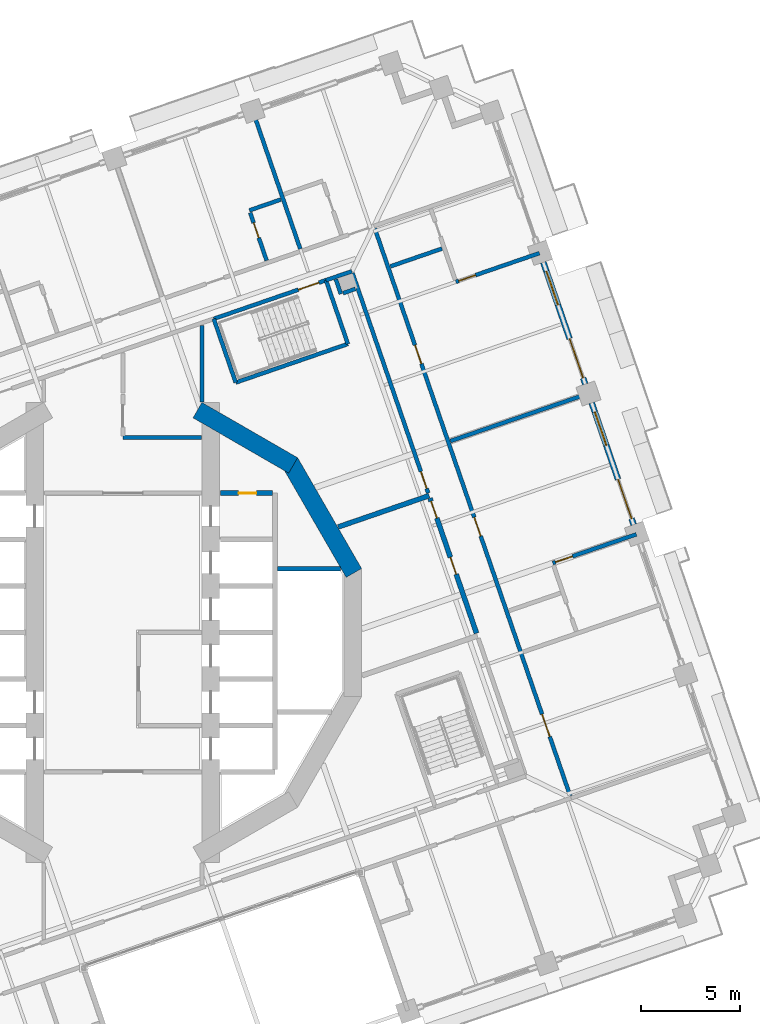
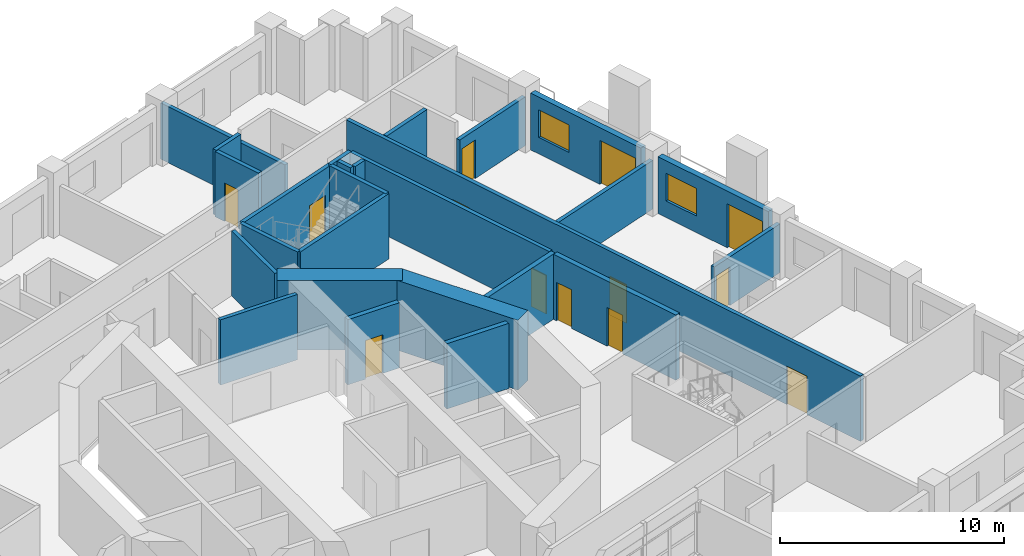
# One storey, part 13 of 22: 26 walls, 13 doors, 2 windows, 15 openings.
"""IFC4 building model written with IfcOpenShell, lengths in metres."""

from ifc_helpers import new_model, si_unit, direction, frame, frame_2d, origin, place, context, subcontext, project, spatial, rectangle, extrude, material, layer, layer_set, type_object, element, fill, save


model = new_model("IFC4")

# Units and contexts
model_context = context("Model", 3, precision=1e-05, world=origin(), true_north=direction((0.0, 1.0)))
body_context = subcontext(model_context, "Body", "Model", "MODEL_VIEW")
ifc_project = project(units=[si_unit("LENGTHUNIT", "METRE"), si_unit("AREAUNIT", "SQUARE_METRE"), si_unit("VOLUMEUNIT", "CUBIC_METRE"), si_unit("PLANEANGLEUNIT", "RADIAN"), si_unit("MASSUNIT", "GRAM", prefix="KILO")], contexts=[model_context])

# Site, building, storey
site_placement = place(None, origin())
site = spatial("IfcSite", under=ifc_project, at=site_placement, CompositionType="ELEMENT")
building_placement = place(site_placement, origin())
building = spatial("IfcBuilding", under=site, at=building_placement, Name="Cantera Rosa Tower", CompositionType="ELEMENT")
storey_placement = place(building_placement, frame((0.0, 0.0, 107.89990234375)))
storey = spatial("IfcBuildingStorey", under=building, at=storey_placement, Name="L21", CompositionType="ELEMENT", Elevation=107.89990234375)

# Walls
ifc_material_1 = material(Name="Gypsum board partition")
ifc_layer_1 = layer(ifc_material_1, 0.199951171875)
ifc_layer_set_1 = layer_set([ifc_layer_1], Name="CORRIDOR WALL 200 H3550")
wall_type_1 = type_object("IfcWallType", Name="CORRIDOR WALL 200 H3550", PredefinedType="PARTITIONING", material=ifc_layer_set_1)
wall_1_placement = place(storey_placement, frame((0.0, 9.85009765625, 0.0), z_axis=(0.0, 0.0, 1.0), x_axis=(1.0, 0.0, 0.0)))
element("IfcWall", 1, at=wall_1_placement, inside=storey, type_object=wall_type_1, Name="CORRIDOR WALL L21-056", PredefinedType="PARTITIONING", context=body_context, shape_type="SweptSolid", body=[
    extrude(rectangle(XDim=3.969970703125, YDim=0.199951171875, at=frame_2d((1.98486328125, 0.0))), origin(), (0.0, 0.0, 1.0), 3.550048828125),
])
wall_2_placement = place(storey_placement, frame((11.583984375, 18.2666015625, 0.0), z_axis=(0.0, 0.0, 1.0), x_axis=(-0.945503834334, -0.325610963052, 0.0)))
element("IfcWall", 2, at=wall_2_placement, inside=storey, type_object=wall_type_1, Name="CORRIDOR WALL L21-088", PredefinedType="PARTITIONING", context=body_context, shape_type="SweptSolid", body=[
    extrude(rectangle(XDim=1.38720703125, YDim=0.199951171875, at=frame_2d((0.693603515625, 0.0))), origin(), (0.0, 0.0, 1.0), 3.550048828125),
])

# Wall, opening, door
wall_3_placement = place(storey_placement, frame((15.4453125, 7.052734375, 0.0), z_axis=(0.0, 0.0, 1.0), x_axis=(-0.325560709279, 0.945521139147, 0.0)))
wall_3 = element("IfcWall", 3, at=wall_3_placement, inside=storey, type_object=wall_type_1, Name="CORRIDOR WALL L21-097", PredefinedType="PARTITIONING", context=body_context, shape_type="SweptSolid", body=[
    extrude(rectangle(XDim=11.760009765625, YDim=0.199951171875, at=frame_2d((5.8798828125, 0.0))), origin(), (0.0, 0.0, 1.0), 3.550048828125),
])
opening_1_placement = place(wall_3_placement, frame((0.242431640625, 0.0, 0.0)))
opening_1 = element("IfcOpeningElement", 4, at=opening_1_placement, cuts=wall_3, Name="Opening L21-004", PredefinedType="OPENING", context=body_context, shape_type="SweptSolid", body=[
    extrude(rectangle(XDim=0.89990234375, YDim=2.10009765625, at=frame_2d((0.449951171875, 1.050048828125))), frame((0.0, 0.10986328125, 0.0), z_axis=(0.0, -1.0, 0.0), x_axis=(1.0, 0.0, 0.0)), (0.0, 0.0, 1.0), 0.219970703125),
])
ifc_material_2 = material(Name="Timber door leaf", Category="wood")
door_type_1 = type_object("IfcDoorType", Name="SERVICE DOOR 900x2100", OperationType="NOTDEFINED", PredefinedType="DOOR", material=ifc_material_2)
door_1_placement = place(opening_1_placement, origin())
door_1 = element("IfcDoor", 5, at=door_1_placement, inside=storey, type_object=door_type_1, Name="DOOR L21-004", OperationType="NOTDEFINED", OverallHeight=2.10009765625, OverallWidth=0.89990234375, PredefinedType="DOOR", context=body_context, shape_type="SweptSolid", body=[
    extrude(rectangle(XDim=0.89990234375, YDim=2.10009765625, at=frame_2d((0.449951171875, 1.050048828125))), frame((0.0, 0.02490234375, 0.0), z_axis=(0.0, -1.0, 0.0), x_axis=(1.0, 0.0, 0.0)), (0.0, 0.0, 1.0), 0.050048828125),
])
fill(opening_1, door_1)

# Wall, openings, doors
wall_4_placement = place(storey_placement, frame((22.623291015625, -8.264892578125, 0.0), z_axis=(0.0, 0.0, 1.0), x_axis=(-0.325567861352, 0.945518676524, 0.0)))
wall_4 = element("IfcWall", 6, at=wall_4_placement, inside=storey, type_object=wall_type_1, Name="CORRIDOR WALL L21-113", PredefinedType="PARTITIONING", context=body_context, shape_type="SweptSolid", body=[
    extrude(rectangle(XDim=30.360107421875, YDim=0.199951171875, at=frame_2d((15.18017578125, 0.0))), origin(), (0.0, 0.0, 1.0), 3.550048828125),
])
opening_2_placement = place(wall_4_placement, frame((3.169921875, 0.0, 0.0)))
opening_2 = element("IfcOpeningElement", 7, at=opening_2_placement, cuts=wall_4, Name="Opening L21-017", PredefinedType="OPENING", context=body_context, shape_type="SweptSolid", body=[
    extrude(rectangle(XDim=1.199951171875, YDim=2.10009765625, at=frame_2d((0.60009765625, 1.050048828125))), frame((0.0, 0.10986328125, 0.0), z_axis=(0.0, -1.0, 0.0), x_axis=(1.0, 0.0, 0.0)), (0.0, 0.0, 1.0), 0.219970703125),
])
opening_3_placement = place(wall_4_placement, frame((13.89990234375, 0.0, 0.0)))
opening_3 = element("IfcOpeningElement", 8, at=opening_3_placement, cuts=wall_4, Name="Opening L21-018", PredefinedType="OPENING", context=body_context, shape_type="SweptSolid", body=[
    extrude(rectangle(XDim=1.0, YDim=2.10009765625, at=frame_2d((0.5, 1.050048828125))), frame((0.0, 0.10986328125, 0.0), z_axis=(0.0, -1.0, 0.0), x_axis=(1.0, 0.0, 0.0)), (0.0, 0.0, 1.0), 0.219970703125),
])
opening_4_placement = place(wall_4_placement, frame((23.110107421875, 0.0, 0.0)))
opening_4 = element("IfcOpeningElement", 9, at=opening_4_placement, cuts=wall_4, Name="Opening L21-021", PredefinedType="OPENING", context=body_context, shape_type="SweptSolid", body=[
    extrude(rectangle(XDim=1.0, YDim=2.10009765625, at=frame_2d((0.5, 1.050048828125))), frame((0.0, 0.10986328125, 0.0), z_axis=(0.0, -1.0, 0.0), x_axis=(1.0, 0.0, 0.0)), (0.0, 0.0, 1.0), 0.219970703125),
])
ifc_material_3 = material(Name="Timber door leaf", Category="wood")
door_type_2 = type_object("IfcDoorType", Name="ENTRANCE DOOR 1000x2100", OperationType="NOTDEFINED", PredefinedType="DOOR", material=ifc_material_3)
door_2_placement = place(opening_3_placement, origin())
door_2 = element("IfcDoor", 10, at=door_2_placement, inside=storey, type_object=door_type_2, Name="DOOR L21-018", OperationType="NOTDEFINED", OverallHeight=2.10009765625, OverallWidth=1.0, PredefinedType="DOOR", context=body_context, shape_type="SweptSolid", body=[
    extrude(rectangle(XDim=1.0, YDim=2.10009765625, at=frame_2d((0.5, 1.050048828125))), frame((0.0, 0.02490234375, 0.0), z_axis=(0.0, -1.0, 0.0), x_axis=(1.0, 0.0, 0.0)), (0.0, 0.0, 1.0), 0.050048828125),
])
fill(opening_3, door_2)
door_3_placement = place(opening_4_placement, origin())
door_3 = element("IfcDoor", 11, at=door_3_placement, inside=storey, type_object=door_type_2, Name="DOOR L21-021", OperationType="NOTDEFINED", OverallHeight=2.10009765625, OverallWidth=1.0, PredefinedType="DOOR", context=body_context, shape_type="SweptSolid", body=[
    extrude(rectangle(XDim=1.0, YDim=2.10009765625, at=frame_2d((0.5, 1.050048828125))), frame((0.0, 0.02490234375, 0.0), z_axis=(0.0, -1.0, 0.0), x_axis=(1.0, 0.0, 0.0)), (0.0, 0.0, 1.0), 0.050048828125),
])
fill(opening_4, door_3)
ifc_material_4 = material(Name="Timber door leaf", Category="wood")
door_type_3 = type_object("IfcDoorType", Name="ROOM DOOR 1200x2100", OperationType="NOTDEFINED", PredefinedType="DOOR", material=ifc_material_4)
door_4_placement = place(opening_2_placement, origin())
door_4 = element("IfcDoor", 12, at=door_4_placement, inside=storey, type_object=door_type_3, Name="DOOR L21-017", OperationType="NOTDEFINED", OverallHeight=2.10009765625, OverallWidth=1.199951171875, PredefinedType="DOOR", context=body_context, shape_type="SweptSolid", body=[
    extrude(rectangle(XDim=1.199951171875, YDim=2.10009765625, at=frame_2d((0.60009765625, 1.050048828125))), frame((0.0, 0.02490234375, 0.0), z_axis=(0.0, -1.0, 0.0), x_axis=(1.0, 0.0, 0.0)), (0.0, 0.0, 1.0), 0.050048828125),
])
fill(opening_2, door_4)

# Wall, openings, window, door
ifc_material_5 = material(Name="Hollow clay masonry with cantera stone cladding", Category="masonry")
ifc_layer_2 = layer(ifc_material_5, 0.300048828125)
ifc_layer_set_2 = layer_set([ifc_layer_2], Name="EW-LOGGIA 300 H3090")
wall_type_2 = type_object("IfcWallType", Name="EW-LOGGIA 300 H3090", PredefinedType="SOLIDWALL", material=ifc_layer_set_2)
wall_5_placement = place(storey_placement, frame((25.833984375, 5.447509765625, 0.0), z_axis=(0.0, 0.0, 1.0), x_axis=(-0.325580990241, 0.945514155787, 0.0)))
wall_5 = element("IfcWall", 13, at=wall_5_placement, inside=storey, type_object=wall_type_2, Name="EN-L21-W03", PredefinedType="SOLIDWALL", context=body_context, shape_type="SweptSolid", body=[
    extrude(rectangle(XDim=6.52001953125, YDim=0.300048828125, at=frame_2d((3.260009765625, 0.0))), origin(), (0.0, 0.0, 1.0), 3.090087890625),
])
opening_5_placement = place(wall_5_placement, frame((0.330078125, 0.0, 0.0)))
opening_5 = element("IfcOpeningElement", 14, at=opening_5_placement, cuts=wall_5, Name="Opening L21-TD05", PredefinedType="OPENING", context=body_context, shape_type="SweptSolid", body=[
    extrude(rectangle(XDim=2.10009765625, YDim=2.39990234375, at=frame_2d((1.050048828125, 1.199951171875))), frame((0.0, 0.159912109375, 0.0), z_axis=(0.0, -1.0, 0.0), x_axis=(1.0, 0.0, 0.0)), (0.0, 0.0, 1.0), 0.320068359375),
])
opening_6_placement = place(wall_5_placement, frame((4.239990234375, 0.0, 0.89990234375)))
opening_6 = element("IfcOpeningElement", 15, at=opening_6_placement, cuts=wall_5, Name="Opening L21-W06", PredefinedType="OPENING", context=body_context, shape_type="SweptSolid", body=[
    extrude(rectangle(XDim=1.800048828125, YDim=1.5, at=frame_2d((0.89990234375, 0.75))), frame((0.0, 0.159912109375, 0.0), z_axis=(0.0, -1.0, 0.0), x_axis=(1.0, 0.0, 0.0)), (0.0, 0.0, 1.0), 0.320068359375),
])
ifc_material_6 = material(Name="Aluminium frame with clear glass", Category="aluminium")
window_type = type_object("IfcWindowType", Name="Hotel room window 1800x1500", PartitioningType="DOUBLE_PANEL_VERTICAL", PredefinedType="WINDOW", material=ifc_material_6)
window_1_placement = place(opening_6_placement, origin())
window_1 = element("IfcWindow", 16, at=window_1_placement, inside=storey, type_object=window_type, Name="WINDOW L21-W06", OverallHeight=1.5, OverallWidth=1.800048828125, PartitioningType="SINGLE_PANEL", PredefinedType="WINDOW", context=body_context, shape_type="SweptSolid", body=[
    extrude(rectangle(XDim=1.800048828125, YDim=1.5, at=frame_2d((0.89990234375, 0.75))), frame((0.0, 0.030029296875, 0.0), z_axis=(0.0, -1.0, 0.0), x_axis=(1.0, 0.0, 0.0)), (0.0, 0.0, 1.0), 0.06005859375),
])
fill(opening_6, window_1)
ifc_material_7 = material(Name="Aluminium frame with clear glass", Category="aluminium")
door_type_4 = type_object("IfcDoorType", Name="TD-H 2100x2400", OperationType="NOTDEFINED", PredefinedType="DOOR", material=ifc_material_7)
door_5_placement = place(opening_5_placement, origin())
door_5 = element("IfcDoor", 17, at=door_5_placement, inside=storey, type_object=door_type_4, Name="LOGGIA DOOR L21-TD05", OperationType="SLIDING_TO_LEFT", OverallHeight=2.39990234375, OverallWidth=2.10009765625, PredefinedType="DOOR", context=body_context, shape_type="SweptSolid", body=[
    extrude(rectangle(XDim=2.10009765625, YDim=2.39990234375, at=frame_2d((1.050048828125, 1.199951171875))), frame((0.0, 0.02490234375, 0.0), z_axis=(0.0, -1.0, 0.0), x_axis=(1.0, 0.0, 0.0)), (0.0, 0.0, 1.0), 0.050048828125),
])
fill(opening_5, door_5)

wall_6_placement = place(storey_placement, frame((23.3857421875, 12.557861328125, 0.0), z_axis=(0.0, 0.0, 1.0), x_axis=(-0.325580990241, 0.945514155787, 0.0)))
wall_6 = element("IfcWall", 18, at=wall_6_placement, inside=storey, type_object=wall_type_2, Name="EN-L21-W04", PredefinedType="SOLIDWALL", context=body_context, shape_type="SweptSolid", body=[
    extrude(rectangle(XDim=6.52001953125, YDim=0.300048828125, at=frame_2d((3.260009765625, 0.0))), origin(), (0.0, 0.0, 1.0), 3.090087890625),
])
opening_7_placement = place(wall_6_placement, frame((0.330078125, 0.0, 0.0)))
opening_7 = element("IfcOpeningElement", 19, at=opening_7_placement, cuts=wall_6, Name="Opening L21-TD07", PredefinedType="OPENING", context=body_context, shape_type="SweptSolid", body=[
    extrude(rectangle(XDim=2.10009765625, YDim=2.39990234375, at=frame_2d((1.050048828125, 1.199951171875))), frame((0.0, 0.159912109375, 0.0), z_axis=(0.0, -1.0, 0.0), x_axis=(1.0, 0.0, 0.0)), (0.0, 0.0, 1.0), 0.320068359375),
])
opening_8_placement = place(wall_6_placement, frame((4.239990234375, 0.0, 0.89990234375)))
opening_8 = element("IfcOpeningElement", 20, at=opening_8_placement, cuts=wall_6, Name="Opening L21-W08", PredefinedType="OPENING", context=body_context, shape_type="SweptSolid", body=[
    extrude(rectangle(XDim=1.800048828125, YDim=1.5, at=frame_2d((0.89990234375, 0.75))), frame((0.0, 0.159912109375, 0.0), z_axis=(0.0, -1.0, 0.0), x_axis=(1.0, 0.0, 0.0)), (0.0, 0.0, 1.0), 0.320068359375),
])
window_2_placement = place(opening_8_placement, origin())
window_2 = element("IfcWindow", 21, at=window_2_placement, inside=storey, type_object=window_type, Name="WINDOW L21-W08", OverallHeight=1.5, OverallWidth=1.800048828125, PartitioningType="SINGLE_PANEL", PredefinedType="WINDOW", context=body_context, shape_type="SweptSolid", body=[
    extrude(rectangle(XDim=1.800048828125, YDim=1.5, at=frame_2d((0.89990234375, 0.75))), frame((0.0, 0.030029296875, 0.0), z_axis=(0.0, -1.0, 0.0), x_axis=(1.0, 0.0, 0.0)), (0.0, 0.0, 1.0), 0.06005859375),
])
fill(opening_8, window_2)
door_6_placement = place(opening_7_placement, origin())
door_6 = element("IfcDoor", 22, at=door_6_placement, inside=storey, type_object=door_type_4, Name="LOGGIA DOOR L21-TD07", OperationType="SLIDING_TO_LEFT", OverallHeight=2.39990234375, OverallWidth=2.10009765625, PredefinedType="DOOR", context=body_context, shape_type="SweptSolid", body=[
    extrude(rectangle(XDim=2.10009765625, YDim=2.39990234375, at=frame_2d((1.050048828125, 1.199951171875))), frame((0.0, 0.02490234375, 0.0), z_axis=(0.0, -1.0, 0.0), x_axis=(1.0, 0.0, 0.0)), (0.0, 0.0, 1.0), 0.050048828125),
])
fill(opening_7, door_6)

# Wall, opening, door
ifc_material_8 = material(Name="Gypsum board partition")
ifc_layer_3 = layer(ifc_material_8, 0.199951171875)
ifc_layer_set_3 = layer_set([ifc_layer_3], Name="PARTITION 200 H2650")
wall_type_3 = type_object("IfcWallType", Name="PARTITION 200 H2650", PredefinedType="PARTITIONING", material=ifc_layer_set_3)
wall_7_placement = place(storey_placement, frame((21.07177734375, 19.185546875, 0.0), z_axis=(0.0, 0.0, 1.0), x_axis=(-0.945518569568, -0.325568171973, 0.0)))
wall_7 = element("IfcWall", 23, at=wall_7_placement, inside=storey, type_object=wall_type_3, Name="PARTITION L21-111", PredefinedType="PARTITIONING", context=body_context, shape_type="SweptSolid", body=[
    extrude(rectangle(XDim=4.47021484375, YDim=0.199951171875, at=frame_2d((2.235107421875, 0.0))), origin(), (0.0, 0.0, 1.0), 2.650146484375),
])
opening_9_placement = place(wall_7_placement, frame((3.419921875, 0.0, 0.0)))
opening_9 = element("IfcOpeningElement", 24, at=opening_9_placement, cuts=wall_7, Name="Opening L21-022", PredefinedType="OPENING", context=body_context, shape_type="SweptSolid", body=[
    extrude(rectangle(XDim=0.89990234375, YDim=2.10009765625, at=frame_2d((0.449951171875, 1.050048828125))), frame((0.0, 0.10986328125, 0.0), z_axis=(0.0, -1.0, 0.0), x_axis=(1.0, 0.0, 0.0)), (0.0, 0.0, 1.0), 0.219970703125),
])
ifc_material_9 = material(Name="Timber door leaf", Category="wood")
door_type_5 = type_object("IfcDoorType", Name="ROOM DOOR 900x2100", OperationType="NOTDEFINED", PredefinedType="DOOR", material=ifc_material_9)
door_7_placement = place(opening_9_placement, origin())
door_7 = element("IfcDoor", 25, at=door_7_placement, inside=storey, type_object=door_type_5, Name="DOOR L21-022", OperationType="NOTDEFINED", OverallHeight=2.10009765625, OverallWidth=0.89990234375, PredefinedType="DOOR", context=body_context, shape_type="SweptSolid", body=[
    extrude(rectangle(XDim=0.89990234375, YDim=2.10009765625, at=frame_2d((0.449951171875, 1.050048828125))), frame((0.0, 0.02490234375, 0.0), z_axis=(0.0, -1.0, 0.0), x_axis=(1.0, 0.0, 0.0)), (0.0, 0.0, 1.0), 0.050048828125),
])
fill(opening_9, door_7)

wall_8_placement = place(storey_placement, frame((21.741943359375, 3.509765625, 0.0), z_axis=(0.0, 0.0, 1.0), x_axis=(0.945518569568, 0.325568171973, 0.0)))
wall_8 = element("IfcWall", 26, at=wall_8_placement, inside=storey, type_object=wall_type_3, Name="PARTITION L21-112", PredefinedType="PARTITIONING", context=body_context, shape_type="SweptSolid", body=[
    extrude(rectangle(XDim=4.47021484375, YDim=0.199951171875, at=frame_2d((2.235107421875, 0.0))), origin(), (0.0, 0.0, 1.0), 2.650146484375),
])
opening_10_placement = place(wall_8_placement, frame((0.14990234375, 0.0, 0.0)))
opening_10 = element("IfcOpeningElement", 27, at=opening_10_placement, cuts=wall_8, Name="Opening L21-019", PredefinedType="OPENING", context=body_context, shape_type="SweptSolid", body=[
    extrude(rectangle(XDim=0.89990234375, YDim=2.10009765625, at=frame_2d((0.449951171875, 1.050048828125))), frame((0.0, 0.10986328125, 0.0), z_axis=(0.0, -1.0, 0.0), x_axis=(1.0, 0.0, 0.0)), (0.0, 0.0, 1.0), 0.219970703125),
])
door_8_placement = place(opening_10_placement, origin())
door_8 = element("IfcDoor", 28, at=door_8_placement, inside=storey, type_object=door_type_5, Name="DOOR L21-019", OperationType="NOTDEFINED", OverallHeight=2.10009765625, OverallWidth=0.89990234375, PredefinedType="DOOR", context=body_context, shape_type="SweptSolid", body=[
    extrude(rectangle(XDim=0.89990234375, YDim=2.10009765625, at=frame_2d((0.449951171875, 1.050048828125))), frame((0.0, 0.02490234375, 0.0), z_axis=(0.0, -1.0, 0.0), x_axis=(1.0, 0.0, 0.0)), (0.0, 0.0, 1.0), 0.050048828125),
])
fill(opening_10, door_8)

# Walls
ifc_material_10 = material(Name="Gypsum board partition")
ifc_layer_4 = layer(ifc_material_10, 0.199951171875)
ifc_layer_set_4 = layer_set([ifc_layer_4], Name="PARTITION 200 H3550")
wall_type_4 = type_object("IfcWallType", Name="PARTITION 200 H3550", PredefinedType="PARTITIONING", material=ifc_layer_set_4)
wall_9_placement = place(storey_placement, frame((4.0, 11.667236328125, 0.0), z_axis=(0.0, 0.0, 1.0), x_axis=(0.0, 1.0, 0.0)))
element("IfcWall", 29, at=wall_9_placement, inside=storey, type_object=wall_type_4, Name="PARTITION L21-065", PredefinedType="PARTITIONING", context=body_context, shape_type="SweptSolid", body=[
    extrude(rectangle(XDim=3.847900390625, YDim=0.199951171875, at=frame_2d((1.923828125, 0.0))), origin(), (0.0, 0.0, 1.0), 3.550048828125),
])
wall_10_placement = place(storey_placement, frame((6.39892578125, 21.34619140625, 0.0), z_axis=(0.0, 0.0, 1.0), x_axis=(0.945482578037, 0.3256726802, 0.0)))
element("IfcWall", 30, at=wall_10_placement, inside=storey, type_object=wall_type_4, Name="PARTITION L21-073", PredefinedType="PARTITIONING", context=body_context, shape_type="SweptSolid", body=[
    extrude(rectangle(XDim=1.679931640625, YDim=0.199951171875, at=frame_2d((0.83984375, 0.0))), origin(), (0.0, 0.0, 1.0), 3.550048828125),
])

# Wall, opening, door
wall_11_placement = place(storey_placement, frame((7.271484375, 18.812255859375, 0.0), z_axis=(0.0, 0.0, 1.0), x_axis=(-0.325567448058, 0.945518818832, 0.0)))
wall_11 = element("IfcWall", 31, at=wall_11_placement, inside=storey, type_object=wall_type_4, Name="PARTITION L21-075", PredefinedType="PARTITIONING", context=body_context, shape_type="SweptSolid", body=[
    extrude(rectangle(XDim=2.56005859375, YDim=0.199951171875, at=frame_2d((1.280029296875, 0.0))), origin(), (0.0, 0.0, 1.0), 3.550048828125),
])
opening_11_placement = place(wall_11_placement, frame((1.216064453125, 0.0, 0.0)))
opening_11 = element("IfcOpeningElement", 32, at=opening_11_placement, cuts=wall_11, Name="Opening L21-025", PredefinedType="OPENING", context=body_context, shape_type="SweptSolid", body=[
    extrude(rectangle(XDim=0.800048828125, YDim=2.10009765625, at=frame_2d((0.39990234375, 1.050048828125))), frame((0.0, 0.10986328125, 0.0), z_axis=(0.0, -1.0, 0.0), x_axis=(1.0, 0.0, 0.0)), (0.0, 0.0, 1.0), 0.219970703125),
])
ifc_material_11 = material(Name="Timber door leaf", Category="wood")
door_type_6 = type_object("IfcDoorType", Name="BATHROOM DOOR 800x2100", OperationType="NOTDEFINED", PredefinedType="DOOR", material=ifc_material_11)
door_9_placement = place(opening_11_placement, origin())
door_9 = element("IfcDoor", 33, at=door_9_placement, inside=storey, type_object=door_type_6, Name="DOOR L21-025", OperationType="NOTDEFINED", OverallHeight=2.10009765625, OverallWidth=0.800048828125, PredefinedType="DOOR", context=body_context, shape_type="SweptSolid", body=[
    extrude(rectangle(XDim=0.800048828125, YDim=2.10009765625, at=frame_2d((0.39990234375, 1.050048828125))), frame((0.0, 0.02490234375, 0.0), z_axis=(0.0, -1.0, 0.0), x_axis=(1.0, 0.0, 0.0)), (0.0, 0.0, 1.0), 0.050048828125),
])
fill(opening_11, door_9)

# Walls
wall_12_placement = place(storey_placement, frame((10.772216796875, 17.860107421875, 0.0), z_axis=(0.0, 0.0, 1.0), x_axis=(0.325508352099, -0.945539165087, 0.0)))
element("IfcWall", 34, at=wall_12_placement, inside=storey, type_object=wall_type_4, Name="PARTITION L21-085", PredefinedType="PARTITIONING", context=body_context, shape_type="SweptSolid", body=[
    extrude(rectangle(XDim=0.780029296875, YDim=0.199951171875, at=frame_2d((0.39013671875, 0.0))), origin(), (0.0, 0.0, 1.0), 3.550048828125),
])
wall_13_placement = place(storey_placement, frame((11.1396484375, 17.16162109375, 0.0), z_axis=(0.0, 0.0, 1.0), x_axis=(0.945416211277, 0.32586529035, 0.0)))
element("IfcWall", 35, at=wall_13_placement, inside=storey, type_object=wall_type_4, Name="PARTITION L21-086", PredefinedType="PARTITIONING", context=body_context, shape_type="SweptSolid", body=[
    extrude(rectangle(XDim=0.66015625, YDim=0.199951171875, at=frame_2d((0.330078125, 0.0))), origin(), (0.0, 0.0, 1.0), 3.550048828125),
])
wall_14_placement = place(storey_placement, frame((16.139404296875, 19.412109375, 0.0), z_axis=(0.0, 0.0, 1.0), x_axis=(-0.945505446379, -0.325606281984, 0.0)))
element("IfcWall", 36, at=wall_14_placement, inside=storey, type_object=wall_type_4, Name="PARTITION L21-099", PredefinedType="PARTITIONING", context=body_context, shape_type="SweptSolid", body=[
    extrude(rectangle(XDim=2.760009765625, YDim=0.199951171875, at=frame_2d((1.3798828125, 0.0))), origin(), (0.0, 0.0, 1.0), 3.550048828125),
])
ifc_material_12 = material(Name="Gypsum board partition")
ifc_layer_5 = layer(ifc_material_12, 0.199951171875)
ifc_layer_set_5 = layer_set([ifc_layer_5], Name="PARTY WALL 200 H2650")
wall_type_5 = type_object("IfcWallType", Name="PARTY WALL 200 H2650", PredefinedType="PARTITIONING", material=ifc_layer_set_5)
wall_15_placement = place(storey_placement, frame((16.570556640625, 9.682373046875, 0.0), z_axis=(0.0, 0.0, 1.0), x_axis=(0.945521494984, 0.325559675824, 0.0)))
element("IfcWall", 37, at=wall_15_placement, inside=storey, type_object=wall_type_5, Name="PARTY WALL L21-100", PredefinedType="PARTITIONING", context=body_context, shape_type="SweptSolid", body=[
    extrude(rectangle(XDim=7.349853515625, YDim=0.199951171875, at=frame_2d((3.6748046875, 0.0))), origin(), (0.0, 0.0, 1.0), 2.650146484375),
])
ifc_material_13 = material(Name="Gypsum board partition")
ifc_layer_6 = layer(ifc_material_13, 0.199951171875)
ifc_layer_set_6 = layer_set([ifc_layer_6], Name="PARTY WALL 200 H3050")
wall_type_6 = type_object("IfcWallType", Name="PARTY WALL 200 H3050", PredefinedType="PARTITIONING", material=ifc_layer_set_6)
wall_16_placement = place(storey_placement, frame((6.58056640625, 26.347900390625, 0.0), z_axis=(0.0, 0.0, 1.0), x_axis=(0.325549451152, -0.945525015457, 0.0)))
element("IfcWall", 38, at=wall_16_placement, inside=storey, type_object=wall_type_6, Name="PARTY WALL L21-074", PredefinedType="PARTITIONING", context=body_context, shape_type="SweptSolid", body=[
    extrude(rectangle(XDim=7.35009765625, YDim=0.199951171875, at=frame_2d((3.675048828125, 0.0))), origin(), (0.0, 0.0, 1.0), 3.050048828125),
])
ifc_material_14 = material(Name="Concrete C70/85", Category="concrete")
ifc_layer_7 = layer(ifc_material_14, 0.89990234375)
ifc_layer_set_7 = layer_set([ifc_layer_7], Name="RC CORE WALL 900 C70/85")
wall_type_7 = type_object("IfcWallType", Name="RC CORE WALL 900 C70/85", PredefinedType="SHEAR", material=ifc_layer_set_7)
wall_17_placement = place(storey_placement, frame((3.77490234375, 11.242919921875, 0.0), z_axis=(0.0, 0.0, 1.0), x_axis=(0.866026961591, -0.49999730179, 0.0)))
element("IfcWall", 39, at=wall_17_placement, inside=storey, type_object=wall_type_7, Name="CW-E1 L21", PredefinedType="SHEAR", context=body_context, shape_type="SweptSolid", body=[
    extrude(rectangle(XDim=5.58740234375, YDim=0.89990234375, at=frame_2d((2.793701171875, 0.0))), origin(), (0.0, 0.0, 1.0), 3.800048828125),
])
wall_18_placement = place(storey_placement, frame((8.44921875, 8.61376953125, 0.0), z_axis=(0.0, 0.0, 1.0), x_axis=(0.499990282633, -0.866031014036, 0.0)))
element("IfcWall", 40, at=wall_18_placement, inside=storey, type_object=wall_type_7, Name="CW-E2 L21", PredefinedType="SHEAR", context=body_context, shape_type="SweptSolid", body=[
    extrude(rectangle(XDim=6.470458984375, YDim=0.89990234375, at=frame_2d((3.2353515625, 0.0))), origin(), (0.0, 0.0, 1.0), 3.800048828125),
])
ifc_material_15 = material(Name="Masonry blockwork", Category="masonry")
ifc_layer_8 = layer(ifc_material_15, 0.25)
ifc_layer_set_8 = layer_set([ifc_layer_8], Name="SHAFT WALL 250 H3550")
wall_type_8 = type_object("IfcWallType", Name="SHAFT WALL 250 H3550", PredefinedType="SOLIDWALL", material=ifc_layer_set_8)
wall_19_placement = place(storey_placement, frame((7.824951171875, 3.2236328125, 0.0), z_axis=(0.0, 0.0, 1.0), x_axis=(1.0, 0.0, 0.0)))
element("IfcWall", 41, at=wall_19_placement, inside=storey, type_object=wall_type_8, Name="SHAFT WALL L21-080", PredefinedType="SOLIDWALL", context=body_context, shape_type="SweptSolid", body=[
    extrude(rectangle(XDim=3.181884765625, YDim=0.25, at=frame_2d((1.5908203125, 0.0))), origin(), (0.0, 0.0, 1.0), 3.550048828125),
])

# Wall, opening, door
wall_20_placement = place(storey_placement, frame((7.580078125, 7.050048828125, 0.0), z_axis=(0.0, 0.0, 1.0), x_axis=(-1.0, 0.0, 0.0)))
wall_20 = element("IfcWall", 42, at=wall_20_placement, inside=storey, type_object=wall_type_8, Name="SHAFT WALL L21-082", PredefinedType="SOLIDWALL", context=body_context, shape_type="SweptSolid", body=[
    extrude(rectangle(XDim=2.650146484375, YDim=0.25, at=frame_2d((1.3251953125, 0.0))), origin(), (0.0, 0.0, 1.0), 3.550048828125),
])
opening_12_placement = place(wall_20_placement, frame((0.830078125, 0.0, 0.0)))
opening_12 = element("IfcOpeningElement", 43, at=opening_12_placement, cuts=wall_20, Name="Opening L21-050", PredefinedType="OPENING", context=body_context, shape_type="SweptSolid", body=[
    extrude(rectangle(XDim=0.89990234375, YDim=2.10009765625, at=frame_2d((0.449951171875, 1.050048828125))), frame((0.0, 0.135009765625, 0.0), z_axis=(0.0, -1.0, 0.0), x_axis=(1.0, 0.0, 0.0)), (0.0, 0.0, 1.0), 0.27001953125),
])
door_10_placement = place(opening_12_placement, origin())
door_10 = element("IfcDoor", 44, at=door_10_placement, inside=storey, type_object=door_type_1, Name="RISER DOOR L21-050", OperationType="NOTDEFINED", OverallHeight=2.10009765625, OverallWidth=0.89990234375, PredefinedType="DOOR", context=body_context, shape_type="SweptSolid", body=[
    extrude(rectangle(XDim=0.89990234375, YDim=2.10009765625, at=frame_2d((0.449951171875, 1.050048828125))), frame((0.0, 0.02490234375, 0.0), z_axis=(0.0, -1.0, 0.0), x_axis=(1.0, 0.0, 0.0)), (0.0, 0.0, 1.0), 0.050048828125),
])
fill(opening_12, door_10)

# Wall
wall_21_placement = place(storey_placement, frame((15.490966796875, 6.92041015625, 0.0), z_axis=(0.0, 0.0, 1.0), x_axis=(-0.945523393756, -0.325554161177, 0.0)))
element("IfcWall", 45, at=wall_21_placement, inside=storey, type_object=wall_type_8, Name="SHAFT WALL L21-096", PredefinedType="SOLIDWALL", context=body_context, shape_type="SweptSolid", body=[
    extrude(rectangle(XDim=4.861083984375, YDim=0.25, at=frame_2d((2.4306640625, 0.0))), origin(), (0.0, 0.0, 1.0), 3.550048828125),
])

# Wall, openings, doors
wall_22_placement = place(storey_placement, frame((17.88720703125, -0.03857421875, 0.0), z_axis=(0.0, 0.0, 1.0), x_axis=(-0.325565472339, 0.945519499122, 0.0)))
wall_22 = element("IfcWall", 46, at=wall_22_placement, inside=storey, type_object=wall_type_8, Name="SHAFT WALL L21-104", PredefinedType="SOLIDWALL", context=body_context, shape_type="SweptSolid", body=[
    extrude(rectangle(XDim=7.219970703125, YDim=0.25, at=frame_2d((3.60986328125, 0.0))), origin(), (0.0, 0.0, 1.0), 3.550048828125),
])
opening_13_placement = place(wall_22_placement, frame((6.159912109375, 0.0, 0.0)))
opening_13 = element("IfcOpeningElement", 47, at=opening_13_placement, cuts=wall_22, Name="Opening L21-009", PredefinedType="OPENING", context=body_context, shape_type="SweptSolid", body=[
    extrude(rectangle(XDim=0.89990234375, YDim=2.10009765625, at=frame_2d((0.449951171875, 1.050048828125))), frame((0.0, 0.135009765625, 0.0), z_axis=(0.0, -1.0, 0.0), x_axis=(1.0, 0.0, 0.0)), (0.0, 0.0, 1.0), 0.27001953125),
])
opening_14_placement = place(wall_22_placement, frame((3.159912109375, 0.0, 0.0)))
opening_14 = element("IfcOpeningElement", 48, at=opening_14_placement, cuts=wall_22, Name="Opening L21-049", PredefinedType="OPENING", context=body_context, shape_type="SweptSolid", body=[
    extrude(rectangle(XDim=0.89990234375, YDim=2.10009765625, at=frame_2d((0.449951171875, 1.050048828125))), frame((0.0, 0.135009765625, 0.0), z_axis=(0.0, -1.0, 0.0), x_axis=(1.0, 0.0, 0.0)), (0.0, 0.0, 1.0), 0.27001953125),
])
door_11_placement = place(opening_13_placement, origin())
door_11 = element("IfcDoor", 49, at=door_11_placement, inside=storey, type_object=door_type_1, Name="RISER DOOR L21-009", OperationType="NOTDEFINED", OverallHeight=2.10009765625, OverallWidth=0.89990234375, PredefinedType="DOOR", context=body_context, shape_type="SweptSolid", body=[
    extrude(rectangle(XDim=0.89990234375, YDim=2.10009765625, at=frame_2d((0.449951171875, 1.050048828125))), frame((0.0, 0.02490234375, 0.0), z_axis=(0.0, -1.0, 0.0), x_axis=(1.0, 0.0, 0.0)), (0.0, 0.0, 1.0), 0.050048828125),
])
fill(opening_13, door_11)
door_12_placement = place(opening_14_placement, origin())
door_12 = element("IfcDoor", 50, at=door_12_placement, inside=storey, type_object=door_type_1, Name="RISER DOOR L21-049", OperationType="NOTDEFINED", OverallHeight=2.10009765625, OverallWidth=0.89990234375, PredefinedType="DOOR", context=body_context, shape_type="SweptSolid", body=[
    extrude(rectangle(XDim=0.89990234375, YDim=2.10009765625, at=frame_2d((0.449951171875, 1.050048828125))), frame((0.0, 0.02490234375, 0.0), z_axis=(0.0, -1.0, 0.0), x_axis=(1.0, 0.0, 0.0)), (0.0, 0.0, 1.0), 0.050048828125),
])
fill(opening_14, door_12)

# Wall
ifc_material_16 = material(Name="Concrete C50/60", Category="concrete")
ifc_layer_9 = layer(ifc_material_16, 0.199951171875)
ifc_layer_set_9 = layer_set([ifc_layer_9], Name="STAIR WALL 200 H3550")
wall_type_9 = type_object("IfcWallType", Name="STAIR WALL 200 H3550", PredefinedType="SOLIDWALL", material=ifc_layer_set_9)
wall_23_placement = place(storey_placement, frame((4.599365234375, 15.861572265625, 0.0), z_axis=(0.0, 0.0, 1.0), x_axis=(0.325562292844, -0.945520593894, 0.0)))
element("IfcWall", 51, at=wall_23_placement, inside=storey, type_object=wall_type_9, Name="STAIR WALL L21-067", PredefinedType="SOLIDWALL", context=body_context, shape_type="SweptSolid", body=[
    extrude(rectangle(XDim=3.407470703125, YDim=0.199951171875, at=frame_2d((1.70361328125, 0.0))), origin(), (0.0, 0.0, 1.0), 3.550048828125),
])

# Wall, opening, door
wall_24_placement = place(storey_placement, frame((4.599365234375, 15.861572265625, 0.0), z_axis=(0.0, 0.0, 1.0), x_axis=(0.945520338581, 0.325563034341, 0.0)))
wall_24 = element("IfcWall", 52, at=wall_24_placement, inside=storey, type_object=wall_type_9, Name="STAIR WALL L21-068", PredefinedType="SOLIDWALL", context=body_context, shape_type="SweptSolid", body=[
    extrude(rectangle(XDim=6.0, YDim=0.199951171875, at=frame_2d((3.0, 0.0))), origin(), (0.0, 0.0, 1.0), 3.550048828125),
])
opening_15_placement = place(wall_24_placement, frame((4.52490234375, 0.0, 0.0)))
opening_15 = element("IfcOpeningElement", 53, at=opening_15_placement, cuts=wall_24, Name="Opening L21-001", PredefinedType="OPENING", context=body_context, shape_type="SweptSolid", body=[
    extrude(rectangle(XDim=1.10009765625, YDim=2.10009765625, at=frame_2d((0.550048828125, 1.050048828125))), frame((0.0, 0.10986328125, 0.0), z_axis=(0.0, -1.0, 0.0), x_axis=(1.0, 0.0, 0.0)), (0.0, 0.0, 1.0), 0.219970703125),
])
ifc_material_17 = material(Name="Steel S355J2 (EN 10025-2)", Category="steel")
door_type_7 = type_object("IfcDoorType", Name="STAIR DOOR 1100x2100", OperationType="NOTDEFINED", PredefinedType="DOOR", material=ifc_material_17)
door_13_placement = place(opening_15_placement, origin())
door_13 = element("IfcDoor", 54, at=door_13_placement, inside=storey, type_object=door_type_7, Name="DOOR L21-001", OperationType="NOTDEFINED", OverallHeight=2.10009765625, OverallWidth=1.10009765625, PredefinedType="DOOR", context=body_context, shape_type="SweptSolid", body=[
    extrude(rectangle(XDim=1.10009765625, YDim=2.10009765625, at=frame_2d((0.550048828125, 1.050048828125))), frame((0.0, 0.02490234375, 0.0), z_axis=(0.0, -1.0, 0.0), x_axis=(1.0, 0.0, 0.0)), (0.0, 0.0, 1.0), 0.050048828125),
])
fill(opening_15, door_13)

# Walls
wall_25_placement = place(storey_placement, frame((5.708740234375, 12.6396484375, 0.0), z_axis=(0.0, 0.0, 1.0), x_axis=(0.945520338581, 0.325563034341, 0.0)))
element("IfcWall", 55, at=wall_25_placement, inside=storey, type_object=wall_type_9, Name="STAIR WALL L21-072", PredefinedType="SOLIDWALL", context=body_context, shape_type="SweptSolid", body=[
    extrude(rectangle(XDim=6.0, YDim=0.199951171875, at=frame_2d((3.0, 0.0))), origin(), (0.0, 0.0, 1.0), 3.550048828125),
])
wall_26_placement = place(storey_placement, frame((11.3818359375, 14.593017578125, 0.0), z_axis=(0.0, 0.0, 1.0), x_axis=(-0.325562292844, 0.945520593894, 0.0)))
element("IfcWall", 56, at=wall_26_placement, inside=storey, type_object=wall_type_9, Name="STAIR WALL L21-087", PredefinedType="SOLIDWALL", context=body_context, shape_type="SweptSolid", body=[
    extrude(rectangle(XDim=3.407470703125, YDim=0.199951171875, at=frame_2d((1.70361328125, 0.0))), origin(), (0.0, 0.0, 1.0), 3.550048828125),
])

save(model, "model.ifc")
